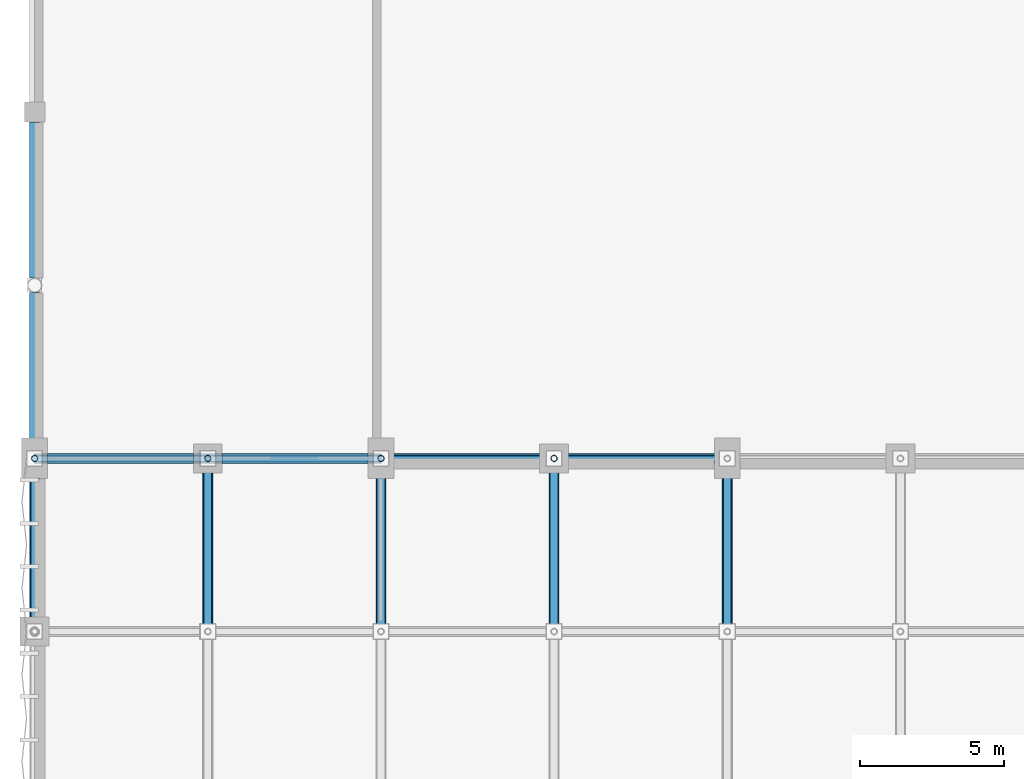
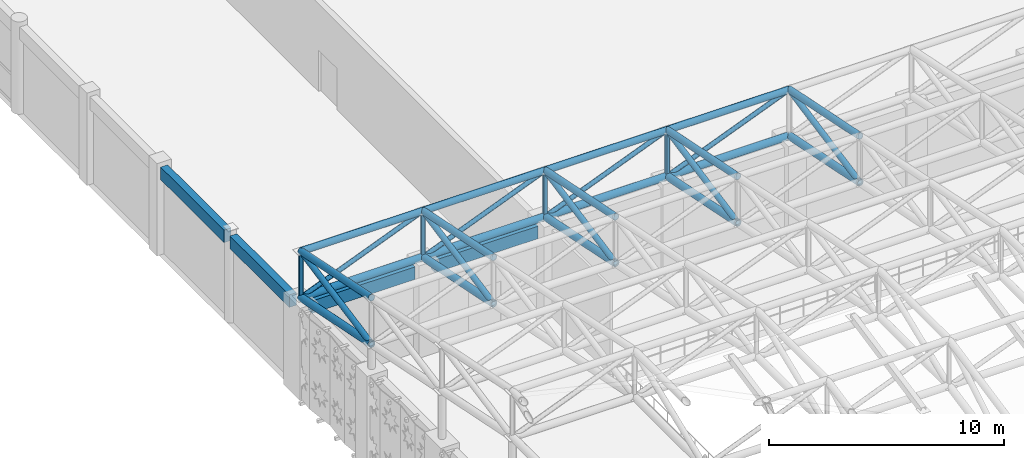
# One storey, part 31 of 112: 31 members, 4 beams.
"""IFC4 building model written with IfcOpenShell, lengths in metres."""

from ifc_helpers import new_model, si_unit, direction, frame, origin, origin_2d, place, context, subcontext, project, spatial, rectangle, hollow_circle, extrude, material, material_profile, profile_set, type_object, element, save


model = new_model("IFC4")

# Units and contexts
model_context = context("Model", 3, precision=1e-05, world=origin(), true_north=direction((0.0, 1.0)))
body_context = subcontext(model_context, "Body", "Model", "MODEL_VIEW")
ifc_project = project(units=[si_unit("LENGTHUNIT", "METRE"), si_unit("AREAUNIT", "SQUARE_METRE"), si_unit("VOLUMEUNIT", "CUBIC_METRE"), si_unit("PLANEANGLEUNIT", "RADIAN"), si_unit("MASSUNIT", "GRAM", prefix="KILO"), si_unit("THERMODYNAMICTEMPERATUREUNIT", "KELVIN"), si_unit("POWERUNIT", "WATT")], contexts=[model_context])

# Site, building, storey
site_placement = place(None, origin())
site = spatial("IfcSite", under=ifc_project, at=site_placement, CompositionType="ELEMENT")
building_placement = place(site_placement, origin())
building = spatial("IfcBuilding", under=site, at=building_placement, Name="Phaisarnlok Congress Hotel", CompositionType="ELEMENT")
storey_placement = place(building_placement, frame((0.0, 0.0, 19.800048828125)))
storey = spatial("IfcBuildingStorey", under=building, at=storey_placement, Name="L04", CompositionType="ELEMENT", Elevation=19.800048828125)

# Members
ifc_material_1 = material(Name="Steel S355", Category="steel")
ifc_material_profile_1 = material_profile(ifc_material_1, hollow_circle(Radius=0.109619140625, WallThickness=0.012451171875, at=origin_2d()), Name="CHS 219.1x12.5")
ifc_profile_set_1 = profile_set([ifc_material_profile_1], Name="Steel S355")
member_type_1 = type_object("IfcMemberType", Name="MEM-BRC-CHS219", PredefinedType="BRACE", material=ifc_profile_set_1)
member_1_placement = place(storey_placement, frame((0.0, 84.0, 4.800048828125), z_axis=(0.0, 0.0, 1.0), x_axis=(1.0, 0.0, 0.0)))
element("IfcMember", 1, at=member_1_placement, inside=storey, type_object=member_type_1, Name="Congress Hall space frame vertical brace TB-02", PredefinedType="BRACE", context=body_context, shape_type="SweptSolid", body=[
    extrude(hollow_circle(Radius=0.109619140625, WallThickness=0.012451171875, at=origin_2d()), origin(), (0.0, 0.0, 1.0), 2.39990234375),
])
member_2_placement = place(storey_placement, frame((0.0, 84.0, 4.800048828125), z_axis=(0.928481901832, 0.0, 0.371377648723), x_axis=(0.0, 1.0, 0.0)))
element("IfcMember", 2, at=member_2_placement, inside=storey, type_object=member_type_1, Name="Congress Hall space frame web diagonal TB-02", PredefinedType="BRACE", context=body_context, shape_type="SweptSolid", body=[
    extrude(hollow_circle(Radius=0.109619140625, WallThickness=0.012451171875, at=origin_2d()), origin(), (0.0, 0.0, 1.0), 6.462158203125),
])
member_3_placement = place(storey_placement, frame((6.0, 84.0, 4.800048828125), z_axis=(0.0, 0.0, 1.0), x_axis=(1.0, 0.0, 0.0)))
element("IfcMember", 3, at=member_3_placement, inside=storey, type_object=member_type_1, Name="Congress Hall space frame vertical brace TB-02", PredefinedType="BRACE", context=body_context, shape_type="SweptSolid", body=[
    extrude(hollow_circle(Radius=0.109619140625, WallThickness=0.012451171875, at=origin_2d()), origin(), (0.0, 0.0, 1.0), 2.39990234375),
])
member_4_placement = place(storey_placement, frame((6.0, 84.0, 4.800048828125), z_axis=(0.928481901832, 0.0, 0.371377648723), x_axis=(0.0, 1.0, 0.0)))
element("IfcMember", 4, at=member_4_placement, inside=storey, type_object=member_type_1, Name="Congress Hall space frame web diagonal TB-02", PredefinedType="BRACE", context=body_context, shape_type="SweptSolid", body=[
    extrude(hollow_circle(Radius=0.109619140625, WallThickness=0.012451171875, at=origin_2d()), origin(), (0.0, 0.0, 1.0), 6.462158203125),
])
member_5_placement = place(storey_placement, frame((12.0, 84.0, 4.800048828125), z_axis=(0.0, 0.0, 1.0), x_axis=(1.0, 0.0, 0.0)))
element("IfcMember", 5, at=member_5_placement, inside=storey, type_object=member_type_1, Name="Congress Hall space frame vertical brace TB-02", PredefinedType="BRACE", context=body_context, shape_type="SweptSolid", body=[
    extrude(hollow_circle(Radius=0.109619140625, WallThickness=0.012451171875, at=origin_2d()), origin(), (0.0, 0.0, 1.0), 2.39990234375),
])
member_6_placement = place(storey_placement, frame((12.0, 84.0, 4.800048828125), z_axis=(0.928481901832, 0.0, 0.371377648723), x_axis=(0.0, 1.0, 0.0)))
element("IfcMember", 6, at=member_6_placement, inside=storey, type_object=member_type_1, Name="Congress Hall space frame web diagonal TB-02", PredefinedType="BRACE", context=body_context, shape_type="SweptSolid", body=[
    extrude(hollow_circle(Radius=0.109619140625, WallThickness=0.012451171875, at=origin_2d()), origin(), (0.0, 0.0, 1.0), 6.462158203125),
])
member_7_placement = place(storey_placement, frame((18.0, 84.0, 4.800048828125), z_axis=(0.0, 0.0, 1.0), x_axis=(1.0, 0.0, 0.0)))
element("IfcMember", 7, at=member_7_placement, inside=storey, type_object=member_type_1, Name="Congress Hall space frame vertical brace TB-02", PredefinedType="BRACE", context=body_context, shape_type="SweptSolid", body=[
    extrude(hollow_circle(Radius=0.109619140625, WallThickness=0.012451171875, at=origin_2d()), origin(), (0.0, 0.0, 1.0), 2.39990234375),
])
member_8_placement = place(storey_placement, frame((18.0, 84.0, 4.800048828125), z_axis=(0.928481901832, 0.0, 0.371377648723), x_axis=(0.0, 1.0, 0.0)))
element("IfcMember", 8, at=member_8_placement, inside=storey, type_object=member_type_1, Name="Congress Hall space frame web diagonal TB-02", PredefinedType="BRACE", context=body_context, shape_type="SweptSolid", body=[
    extrude(hollow_circle(Radius=0.109619140625, WallThickness=0.012451171875, at=origin_2d()), origin(), (0.0, 0.0, 1.0), 6.462158203125),
])
ifc_material_profile_2 = material_profile(ifc_material_1, hollow_circle(Radius=0.136474609375, WallThickness=0.01611328125, at=origin_2d()), Name="CHS 273x16")
ifc_profile_set_2 = profile_set([ifc_material_profile_2], Name="Steel S355")
member_type_2 = type_object("IfcMemberType", Name="MEM-BRC-CHS273", PredefinedType="BRACE", material=ifc_profile_set_2)
for number, where, z_axis, x_axis, name in (
    (9, (0.0, 78.0, 6.020751953125), (0.0, 0.981229397887, 0.192844156567), (-1.0, 0.0, 0.0), "Congress Hall space frame raking brace TB-03"),
    (10, (6.0, 78.0, 6.020751953125), (0.0, 0.981229397887, 0.192844156567), (-1.0, 0.0, 0.0), "Congress Hall space frame raking brace TB-03"),
    (11, (12.0, 78.0, 6.020751953125), (0.0, 0.981229397887, 0.192844156567), (-1.0, 0.0, 0.0), "Congress Hall space frame raking brace TB-03"),
    (12, (18.0, 78.0, 6.020751953125), (0.0, 0.981229397887, 0.192844156567), (-1.0, 0.0, 0.0), "Congress Hall space frame raking brace TB-03"),
    (13, (24.0, 78.0, 6.020751953125), (0.0, 0.981229397887, 0.192844156567), (-1.0, 0.0, 0.0), "Congress Hall space frame raking brace TB-03"),
):
    element("IfcMember", number, at=place(storey_placement, frame(where, z_axis=z_axis, x_axis=x_axis)), inside=storey, type_object=member_type_2, Name=name, PredefinedType="BRACE", context=body_context, shape_type="SweptSolid", body=[
        extrude(hollow_circle(Radius=0.136474609375, WallThickness=0.01611328125, at=origin_2d()), origin(), (0.0, 0.0, 1.0), 6.11474609375),
    ])
ifc_material_profile_3 = material_profile(ifc_material_1, hollow_circle(Radius=0.161865234375, WallThickness=0.01611328125, at=origin_2d()), Name="CHS 323.9x16")
ifc_profile_set_3 = profile_set([ifc_material_profile_3], Name="Steel S355")
member_type_3 = type_object("IfcMemberType", Name="MEM-CHD-CHS324", PredefinedType="CHORD", material=ifc_profile_set_3)
member_9_placement = place(storey_placement, frame((0.0, 78.0, 8.420654296875), z_axis=(0.0, 0.979925045119, -0.199366260807), x_axis=(-1.0, 0.0, 0.0)))
element("IfcMember", 14, at=member_9_placement, inside=storey, type_object=member_type_3, Name="Congress Hall space frame top chord TC-02", PredefinedType="CHORD", context=body_context, shape_type="SweptSolid", body=[
    extrude(hollow_circle(Radius=0.161865234375, WallThickness=0.01611328125, at=origin_2d()), origin(), (0.0, 0.0, 1.0), 6.122802734375),
])
member_10_placement = place(storey_placement, frame((0.0, 84.0, 7.199951171875), z_axis=(1.0, 0.0, 0.0), x_axis=(0.0, 1.0, 0.0)))
element("IfcMember", 15, at=member_10_placement, inside=storey, type_object=member_type_3, Name="Congress Hall space frame top chord TC-02", PredefinedType="CHORD", context=body_context, shape_type="SweptSolid", body=[
    extrude(hollow_circle(Radius=0.161865234375, WallThickness=0.01611328125, at=origin_2d()), origin(), (0.0, 0.0, 1.0), 6.0),
])
member_11_placement = place(storey_placement, frame((6.0, 78.0, 8.420654296875), z_axis=(0.0, 0.979925045119, -0.199366260807), x_axis=(-1.0, 0.0, 0.0)))
element("IfcMember", 16, at=member_11_placement, inside=storey, type_object=member_type_3, Name="Congress Hall space frame top chord TC-02", PredefinedType="CHORD", context=body_context, shape_type="SweptSolid", body=[
    extrude(hollow_circle(Radius=0.161865234375, WallThickness=0.01611328125, at=origin_2d()), origin(), (0.0, 0.0, 1.0), 6.122802734375),
])
member_12_placement = place(storey_placement, frame((6.0, 84.0, 7.199951171875), z_axis=(1.0, 0.0, 0.0), x_axis=(0.0, 1.0, 0.0)))
element("IfcMember", 17, at=member_12_placement, inside=storey, type_object=member_type_3, Name="Congress Hall space frame top chord TC-02", PredefinedType="CHORD", context=body_context, shape_type="SweptSolid", body=[
    extrude(hollow_circle(Radius=0.161865234375, WallThickness=0.01611328125, at=origin_2d()), origin(), (0.0, 0.0, 1.0), 6.0),
])
member_13_placement = place(storey_placement, frame((12.0, 78.0, 8.420654296875), z_axis=(0.0, 0.979925045119, -0.199366260807), x_axis=(-1.0, 0.0, 0.0)))
element("IfcMember", 18, at=member_13_placement, inside=storey, type_object=member_type_3, Name="Congress Hall space frame top chord TC-02", PredefinedType="CHORD", context=body_context, shape_type="SweptSolid", body=[
    extrude(hollow_circle(Radius=0.161865234375, WallThickness=0.01611328125, at=origin_2d()), origin(), (0.0, 0.0, 1.0), 6.122802734375),
])
member_14_placement = place(storey_placement, frame((12.0, 84.0, 7.199951171875), z_axis=(1.0, 0.0, 0.0), x_axis=(0.0, 1.0, 0.0)))
element("IfcMember", 19, at=member_14_placement, inside=storey, type_object=member_type_3, Name="Congress Hall space frame top chord TC-02", PredefinedType="CHORD", context=body_context, shape_type="SweptSolid", body=[
    extrude(hollow_circle(Radius=0.161865234375, WallThickness=0.01611328125, at=origin_2d()), origin(), (0.0, 0.0, 1.0), 6.0),
])
member_15_placement = place(storey_placement, frame((18.0, 78.0, 8.420654296875), z_axis=(0.0, 0.979925045119, -0.199366260807), x_axis=(-1.0, 0.0, 0.0)))
element("IfcMember", 20, at=member_15_placement, inside=storey, type_object=member_type_3, Name="Congress Hall space frame top chord TC-02", PredefinedType="CHORD", context=body_context, shape_type="SweptSolid", body=[
    extrude(hollow_circle(Radius=0.161865234375, WallThickness=0.01611328125, at=origin_2d()), origin(), (0.0, 0.0, 1.0), 6.122802734375),
])
member_16_placement = place(storey_placement, frame((18.0, 84.0, 7.199951171875), z_axis=(1.0, 0.0, 0.0), x_axis=(0.0, 1.0, 0.0)))
element("IfcMember", 21, at=member_16_placement, inside=storey, type_object=member_type_3, Name="Congress Hall space frame top chord TC-02", PredefinedType="CHORD", context=body_context, shape_type="SweptSolid", body=[
    extrude(hollow_circle(Radius=0.161865234375, WallThickness=0.01611328125, at=origin_2d()), origin(), (0.0, 0.0, 1.0), 6.0),
])
member_17_placement = place(storey_placement, frame((24.0, 78.0, 8.420654296875), z_axis=(0.0, 0.979925045119, -0.199366260807), x_axis=(-1.0, 0.0, 0.0)))
element("IfcMember", 22, at=member_17_placement, inside=storey, type_object=member_type_3, Name="Congress Hall space frame top chord TC-02", PredefinedType="CHORD", context=body_context, shape_type="SweptSolid", body=[
    extrude(hollow_circle(Radius=0.161865234375, WallThickness=0.01611328125, at=origin_2d()), origin(), (0.0, 0.0, 1.0), 6.122802734375),
])
ifc_material_profile_4 = material_profile(ifc_material_1, hollow_circle(Radius=0.177734375, WallThickness=0.02001953125, at=origin_2d()), Name="CHS 355.6x20")
ifc_profile_set_4 = profile_set([ifc_material_profile_4], Name="Steel S355")
member_type_4 = type_object("IfcMemberType", Name="MEM-CHD-CHS356", PredefinedType="CHORD", material=ifc_profile_set_4)
member_18_placement = place(storey_placement, frame((0.0, 78.0, 6.020751953125), z_axis=(0.0, 0.979925045119, -0.199366260807), x_axis=(-1.0, 0.0, 0.0)))
element("IfcMember", 23, at=member_18_placement, inside=storey, type_object=member_type_4, Name="Congress Hall space frame bottom chord TC-01", PredefinedType="CHORD", context=body_context, shape_type="SweptSolid", body=[
    extrude(hollow_circle(Radius=0.177734375, WallThickness=0.02001953125, at=origin_2d()), origin(), (0.0, 0.0, 1.0), 6.122802734375),
])
member_19_placement = place(storey_placement, frame((0.0, 84.0, 4.800048828125), z_axis=(1.0, 0.0, 0.0), x_axis=(0.0, 1.0, 0.0)))
element("IfcMember", 24, at=member_19_placement, inside=storey, type_object=member_type_4, Name="Congress Hall space frame bottom chord TC-01", PredefinedType="CHORD", context=body_context, shape_type="SweptSolid", body=[
    extrude(hollow_circle(Radius=0.177734375, WallThickness=0.02001953125, at=origin_2d()), origin(), (0.0, 0.0, 1.0), 6.0),
])
member_20_placement = place(storey_placement, frame((6.0, 78.0, 6.020751953125), z_axis=(0.0, 0.979925045119, -0.199366260807), x_axis=(-1.0, 0.0, 0.0)))
element("IfcMember", 25, at=member_20_placement, inside=storey, type_object=member_type_4, Name="Congress Hall space frame bottom chord TC-01", PredefinedType="CHORD", context=body_context, shape_type="SweptSolid", body=[
    extrude(hollow_circle(Radius=0.177734375, WallThickness=0.02001953125, at=origin_2d()), origin(), (0.0, 0.0, 1.0), 6.122802734375),
])
member_21_placement = place(storey_placement, frame((6.0, 84.0, 4.800048828125), z_axis=(1.0, 0.0, 0.0), x_axis=(0.0, 1.0, 0.0)))
element("IfcMember", 26, at=member_21_placement, inside=storey, type_object=member_type_4, Name="Congress Hall space frame bottom chord TC-01", PredefinedType="CHORD", context=body_context, shape_type="SweptSolid", body=[
    extrude(hollow_circle(Radius=0.177734375, WallThickness=0.02001953125, at=origin_2d()), origin(), (0.0, 0.0, 1.0), 6.0),
])
member_22_placement = place(storey_placement, frame((12.0, 78.0, 6.020751953125), z_axis=(0.0, 0.979925045119, -0.199366260807), x_axis=(-1.0, 0.0, 0.0)))
element("IfcMember", 27, at=member_22_placement, inside=storey, type_object=member_type_4, Name="Congress Hall space frame bottom chord TC-01", PredefinedType="CHORD", context=body_context, shape_type="SweptSolid", body=[
    extrude(hollow_circle(Radius=0.177734375, WallThickness=0.02001953125, at=origin_2d()), origin(), (0.0, 0.0, 1.0), 6.122802734375),
])
member_23_placement = place(storey_placement, frame((12.0, 84.0, 4.800048828125), z_axis=(1.0, 0.0, 0.0), x_axis=(0.0, 1.0, 0.0)))
element("IfcMember", 28, at=member_23_placement, inside=storey, type_object=member_type_4, Name="Congress Hall space frame bottom chord TC-01", PredefinedType="CHORD", context=body_context, shape_type="SweptSolid", body=[
    extrude(hollow_circle(Radius=0.177734375, WallThickness=0.02001953125, at=origin_2d()), origin(), (0.0, 0.0, 1.0), 6.0),
])
member_24_placement = place(storey_placement, frame((18.0, 78.0, 6.020751953125), z_axis=(0.0, 0.979925045119, -0.199366260807), x_axis=(-1.0, 0.0, 0.0)))
element("IfcMember", 29, at=member_24_placement, inside=storey, type_object=member_type_4, Name="Congress Hall space frame bottom chord TC-01", PredefinedType="CHORD", context=body_context, shape_type="SweptSolid", body=[
    extrude(hollow_circle(Radius=0.177734375, WallThickness=0.02001953125, at=origin_2d()), origin(), (0.0, 0.0, 1.0), 6.122802734375),
])
member_25_placement = place(storey_placement, frame((18.0, 84.0, 4.800048828125), z_axis=(1.0, 0.0, 0.0), x_axis=(0.0, 1.0, 0.0)))
element("IfcMember", 30, at=member_25_placement, inside=storey, type_object=member_type_4, Name="Congress Hall space frame bottom chord TC-01", PredefinedType="CHORD", context=body_context, shape_type="SweptSolid", body=[
    extrude(hollow_circle(Radius=0.177734375, WallThickness=0.02001953125, at=origin_2d()), origin(), (0.0, 0.0, 1.0), 6.0),
])
member_26_placement = place(storey_placement, frame((24.0, 78.0, 6.020751953125), z_axis=(0.0, 0.979925045119, -0.199366260807), x_axis=(-1.0, 0.0, 0.0)))
element("IfcMember", 31, at=member_26_placement, inside=storey, type_object=member_type_4, Name="Congress Hall space frame bottom chord TC-01", PredefinedType="CHORD", context=body_context, shape_type="SweptSolid", body=[
    extrude(hollow_circle(Radius=0.177734375, WallThickness=0.02001953125, at=origin_2d()), origin(), (0.0, 0.0, 1.0), 6.122802734375),
])

# Beams
ifc_material_2 = material(Name="Concrete C40/50", Category="concrete")
ifc_material_profile_5 = material_profile(ifc_material_2, rectangle(XDim=0.35009765625, YDim=0.64990234375, at=origin_2d()), Name="RC 350x650")
ifc_profile_set_5 = profile_set([ifc_material_profile_5], Name="Concrete C40/50")
beam_type = type_object("IfcBeamType", Name="SP-RC-350x650", PredefinedType="SPANDREL", material=ifc_profile_set_5)
beam_1_placement = place(storey_placement, frame((0.445068359375, 84.0, 4.23486328125), z_axis=(1.0, 0.0, 0.0), x_axis=(0.0, 1.0, 0.0)))
element("IfcBeam", 32, at=beam_1_placement, inside=storey, type_object=beam_type, Name="Beam SP-01", PredefinedType="SPANDREL", context=body_context, shape_type="SweptSolid", body=[
    extrude(rectangle(XDim=0.35009765625, YDim=0.64990234375, at=origin_2d()), origin(), (0.0, 0.0, 1.0), 5.059814453125),
])
beam_2_placement = place(storey_placement, frame((0.0, 84.695068359375, 4.23486328125), z_axis=(0.0, 1.0, 0.0), x_axis=(-1.0, 0.0, 0.0)))
element("IfcBeam", 33, at=beam_2_placement, inside=storey, type_object=beam_type, Name="Beam SP-01", PredefinedType="SPANDREL", context=body_context, shape_type="SweptSolid", body=[
    extrude(rectangle(XDim=0.35009765625, YDim=0.64990234375, at=origin_2d()), origin(), (0.0, 0.0, 1.0), 5.055908203125),
])
beam_3_placement = place(storey_placement, frame((0.0, 90.2490234375, 4.23486328125), z_axis=(0.0, 1.0, 0.0), x_axis=(-1.0, 0.0, 0.0)))
element("IfcBeam", 34, at=beam_3_placement, inside=storey, type_object=beam_type, Name="Beam SP-01", PredefinedType="SPANDREL", context=body_context, shape_type="SweptSolid", body=[
    extrude(rectangle(XDim=0.35009765625, YDim=0.64990234375, at=origin_2d()), origin(), (0.0, 0.0, 1.0), 5.406005859375),
])
beam_4_placement = place(storey_placement, frame((6.4951171875, 84.0, 4.23486328125), z_axis=(1.0, 0.0, 0.0), x_axis=(0.0, 1.0, 0.0)))
element("IfcBeam", 35, at=beam_4_placement, inside=storey, type_object=beam_type, Name="Beam SP-01", PredefinedType="SPANDREL", context=body_context, shape_type="SweptSolid", body=[
    extrude(rectangle(XDim=0.35009765625, YDim=0.64990234375, at=origin_2d()), origin(), (0.0, 0.0, 1.0), 5.059814453125),
])

save(model, "model.ifc")
